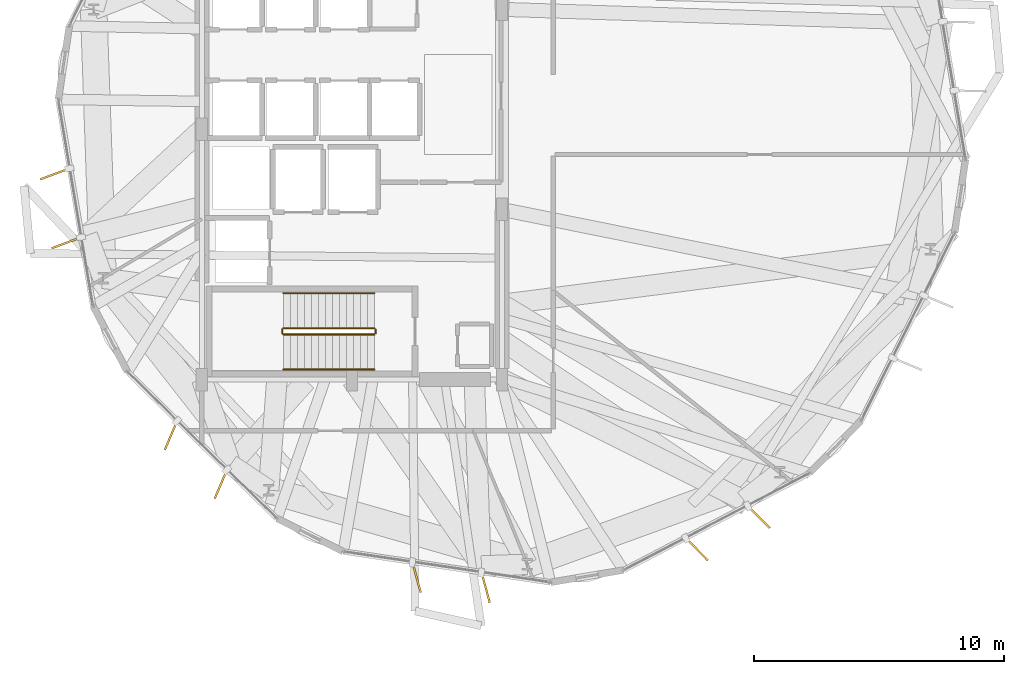
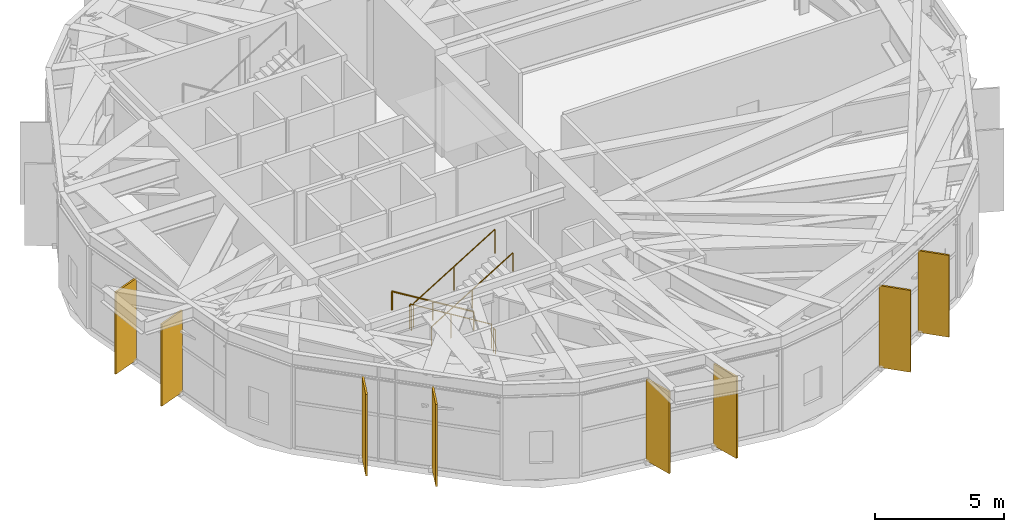
# One storey, part 25 of 27: 8 shading devices, 6 railings.
"""IFC4 building model written with IfcOpenShell, lengths in metres."""

from ifc_helpers import new_model, si_unit, direction, frame, origin, origin_2d, place, context, subcontext, project, spatial, rectangle, circle, extrude, material, layer, layer_set, type_object, element, save


model = new_model("IFC4")

# Units and contexts
model_context = context("Model", 3, precision=1e-05, world=origin(), true_north=direction((0.0, 1.0)))
body_context = subcontext(model_context, "Body", "Model", "MODEL_VIEW")
ifc_project = project(units=[si_unit("LENGTHUNIT", "METRE"), si_unit("AREAUNIT", "SQUARE_METRE"), si_unit("VOLUMEUNIT", "CUBIC_METRE"), si_unit("PLANEANGLEUNIT", "RADIAN"), si_unit("MASSUNIT", "GRAM", prefix="KILO")], contexts=[model_context])

# Site, building, storey
site_placement = place(None, origin())
site = spatial("IfcSite", under=ifc_project, at=site_placement, CompositionType="ELEMENT")
building_placement = place(site_placement, origin())
building = spatial("IfcBuilding", under=site, at=building_placement, Name="Soratama Intermodal Tower", CompositionType="ELEMENT")
storey_placement = place(building_placement, frame((0.0, 0.0, 134.199951171875)))
storey = spatial("IfcBuildingStorey", under=building, at=storey_placement, Name="L32", CompositionType="ELEMENT", Elevation=134.199951171875)

# Railings
ifc_material_1 = material(Name="Painted steel stair guardrail", Category="steel")
railing_type_1 = type_object("IfcRailingType", Name="RL-STAIR-GUARD", PredefinedType="GUARDRAIL", material=ifc_material_1)
railing_1_placement = place(storey_placement, frame((39.5, 17.050048828125, 0.17138671875)))
element("IfcRailing", 1, at=railing_1_placement, inside=storey, type_object=railing_type_1, Name="L32 ST-1 stair guard 1", PredefinedType="GUARDRAIL", context=body_context, shape_type="SweptSolid", body=[
    extrude(circle(Radius=0.02392578125, at=origin_2d()), frame((0.0, 0.0, 1.1259765625), z_axis=(-0.852824790078, 0.0, 0.522197163366), x_axis=(0.0, -1.0, 0.0)), (0.0, 0.0, 1.0), 4.26806640625),
    extrude(circle(Radius=0.02099609375, at=origin_2d()), origin(), (0.0, 0.0, 1.0), 1.101806640625),
    extrude(circle(Radius=0.02099609375, at=origin_2d()), frame((-1.81982421875, 0.0, 1.1142578125)), (0.0, 0.0, 1.0), 1.101806640625),
    extrude(circle(Radius=0.02099609375, at=origin_2d()), frame((-3.639892578125, 0.0, 2.228759765625)), (0.0, 0.0, 1.0), 1.101806640625),
])
railing_2_placement = place(storey_placement, frame((35.81005859375, 17.0, 2.400146484375)))
element("IfcRailing", 2, at=railing_2_placement, inside=storey, type_object=railing_type_1, Name="L32 ST-1 stair guard 2", PredefinedType="GUARDRAIL", context=body_context, shape_type="SweptSolid", body=[
    extrude(circle(Radius=0.02392578125, at=origin_2d()), frame((0.0, 0.0, 1.1259765625), z_axis=(0.0, -1.0, 0.0), x_axis=(1.0, 0.0, 0.0)), (0.0, 0.0, 1.0), 0.14990234375),
    extrude(circle(Radius=0.02099609375, at=origin_2d()), origin(), (0.0, 0.0, 1.0), 1.101806640625),
    extrude(circle(Radius=0.02099609375, at=origin_2d()), frame((0.0, -0.14990234375, 0.0)), (0.0, 0.0, 1.0), 1.101806640625),
])
railing_3_placement = place(storey_placement, frame((35.860107421875, 16.800048828125, 2.571533203125)))
element("IfcRailing", 3, at=railing_3_placement, inside=storey, type_object=railing_type_1, Name="L32 ST-1 stair guard 3", PredefinedType="GUARDRAIL", context=body_context, shape_type="SweptSolid", body=[
    extrude(circle(Radius=0.02392578125, at=origin_2d()), frame((0.0, 0.0, 1.1259765625), z_axis=(0.852850264322, 0.0, 0.5221555579), x_axis=(0.0, 1.0, 0.0)), (0.0, 0.0, 1.0), 4.267822265625),
    extrude(circle(Radius=0.02099609375, at=origin_2d()), origin(), (0.0, 0.0, 1.0), 1.101806640625),
    extrude(circle(Radius=0.02099609375, at=origin_2d()), frame((1.81982421875, 0.0, 1.1142578125)), (0.0, 0.0, 1.0), 1.101806640625),
    extrude(circle(Radius=0.02099609375, at=origin_2d()), frame((3.639892578125, 0.0, 2.228515625)), (0.0, 0.0, 1.0), 1.101806640625),
])
railing_4_placement = place(storey_placement, frame((39.550048828125, 17.0, 0.0)))
element("IfcRailing", 4, at=railing_4_placement, inside=storey, type_object=railing_type_1, Name="L32 ST-1 stair guard 4", PredefinedType="GUARDRAIL", context=body_context, shape_type="SweptSolid", body=[
    extrude(circle(Radius=0.02392578125, at=origin_2d()), frame((0.0, 0.0, 1.1259765625), z_axis=(0.0, -1.0, 0.0), x_axis=(1.0, 0.0, 0.0)), (0.0, 0.0, 1.0), 0.14990234375),
    extrude(circle(Radius=0.02099609375, at=origin_2d()), origin(), (0.0, 0.0, 1.0), 1.101806640625),
    extrude(circle(Radius=0.02099609375, at=origin_2d()), frame((0.0, -0.14990234375, 0.0)), (0.0, 0.0, 1.0), 1.101806640625),
])
ifc_material_2 = material(Name="Brushed stainless steel handrail", Category="steel")
railing_type_2 = type_object("IfcRailingType", Name="RL-STAIR-HAND", PredefinedType="HANDRAIL", material=ifc_material_2)
railing_5_placement = place(storey_placement, frame((39.5, 18.449951171875, 0.17138671875)))
element("IfcRailing", 5, at=railing_5_placement, inside=storey, type_object=railing_type_2, Name="L32 ST-1 stair handrail 1", PredefinedType="HANDRAIL", context=body_context, shape_type="SweptSolid", body=[
    extrude(circle(Radius=0.02392578125, at=origin_2d()), frame((0.0, 0.0, 0.8759765625), z_axis=(-0.852824790078, 0.0, 0.522197163366), x_axis=(0.0, -1.0, 0.0)), (0.0, 0.0, 1.0), 4.26806640625),
    extrude(circle(Radius=0.02099609375, at=origin_2d()), origin(), (0.0, 0.0, 1.0), 0.851806640625),
    extrude(circle(Radius=0.02099609375, at=origin_2d()), frame((-1.81982421875, 0.0, 1.1142578125)), (0.0, 0.0, 1.0), 0.851806640625),
    extrude(circle(Radius=0.02099609375, at=origin_2d()), frame((-3.639892578125, 0.0, 2.228759765625)), (0.0, 0.0, 1.0), 0.851806640625),
])
railing_6_placement = place(storey_placement, frame((35.860107421875, 15.39990234375, 2.571533203125)))
element("IfcRailing", 6, at=railing_6_placement, inside=storey, type_object=railing_type_2, Name="L32 ST-1 stair handrail 2", PredefinedType="HANDRAIL", context=body_context, shape_type="SweptSolid", body=[
    extrude(circle(Radius=0.02392578125, at=origin_2d()), frame((0.0, 0.0, 0.8759765625), z_axis=(0.852850264322, 0.0, 0.5221555579), x_axis=(0.0, 1.0, 0.0)), (0.0, 0.0, 1.0), 4.267822265625),
    extrude(circle(Radius=0.02099609375, at=origin_2d()), origin(), (0.0, 0.0, 1.0), 0.851806640625),
    extrude(circle(Radius=0.02099609375, at=origin_2d()), frame((1.81982421875, 0.0, 1.1142578125)), (0.0, 0.0, 1.0), 0.851806640625),
    extrude(circle(Radius=0.02099609375, at=origin_2d()), frame((3.639892578125, 0.0, 2.228515625)), (0.0, 0.0, 1.0), 0.851806640625),
])

# Shading devices
ifc_material_3 = material(Name="Champagne anodised aluminium solar fin", Category="aluminium")
ifc_layer = layer(ifc_material_3, 0.080078125)
ifc_layer_set = layer_set([ifc_layer], Name="Champagne anodised aluminium solar fin")
shading_device_type = type_object("IfcShadingDeviceType", Name="SH-FIN-1250", PredefinedType="USERDEFINED", material=ifc_layer_set)
for number, where, z_axis, x_axis, name in (
    (7, (26.71923828125, 23.2197265625, 0.02001953125), (0.0, 0.0, 1.0), (-0.937038411905, -0.349226308593, 0.0), "L32 Solar Fin F05-1"),
    (8, (27.181884765625, 20.46630859375, 0.02001953125), (0.0, 0.0, 1.0), (-0.937038411905, -0.349226308593, 0.0), "L32 Solar Fin F05-2"),
    (9, (31.360595703125, 12.758544921875, 0.02001953125), (0.0, 0.0, 1.0), (-0.392016014434, -0.919958392769, 0.0), "L32 Solar Fin F06-1"),
    (10, (33.353515625, 10.802978515625, 0.02001953125), (0.0, 0.0, 1.0), (-0.392016014434, -0.919958392769, 0.0), "L32 Solar Fin F06-2"),
    (11, (41.186279296875, 7.0859375, 0.02001953125), (0.0, 0.0, 1.0), (0.262862823299, -0.964833216741, 0.0), "L32 Solar Fin F07-1"),
    (12, (43.947998046875, 6.675048828125, 0.02001953125), (0.0, 0.0, 1.0), (0.262862823299, -0.964833216741, 0.0), "L32 Solar Fin F07-2"),
    (13, (52.3935546875, 8.20947265625, 0.02001953125), (0.0, 0.0, 1.0), (0.701033739311, -0.713128106547, 0.0), "L32 Solar Fin F08-1"),
    (14, (54.869140625, 9.500244140625, 0.02001953125), (0.0, 0.0, 1.0), (0.701033739311, -0.713128106547, 0.0), "L32 Solar Fin F08-2"),
):
    element("IfcShadingDevice", number, at=place(storey_placement, frame(where, z_axis=z_axis, x_axis=x_axis)), inside=storey, type_object=shading_device_type, Name=name, ObjectType="FIN", PredefinedType="USERDEFINED", context=body_context, shape_type="SweptSolid", body=[
        extrude(rectangle(XDim=1.25, YDim=0.080078125, at=origin_2d()), origin(), (0.0, 0.0, 1.0), 3.85888671875),
    ])

save(model, "model.ifc")
